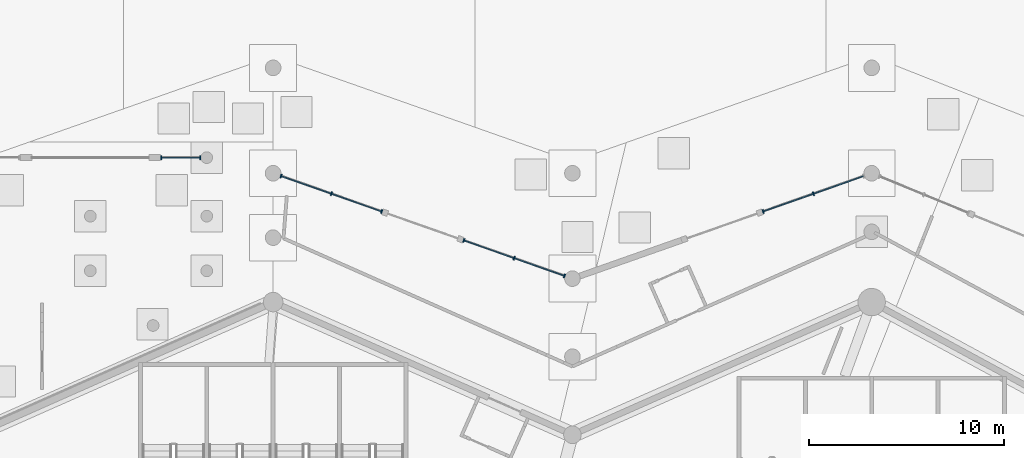
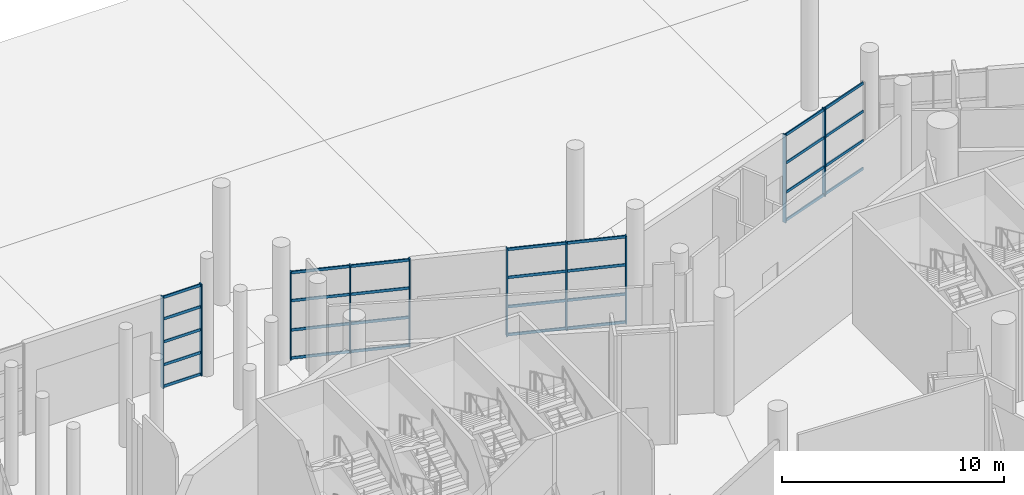
# One storey, part 63 of 255: 39 members, 4 elements without a shape of their own.
"""IFC4 building model written with IfcOpenShell, lengths in metres."""

from ifc_helpers import new_model, si_unit, direction, frame, origin, origin_2d, place, context, subcontext, project, spatial, rectangle, extrude, material, layer, layer_set, material_profile, profile_set, type_object, element, aggregate, save


model = new_model("IFC4")

# Units and contexts
model_context = context("Model", 3, precision=1e-05, world=origin(), true_north=direction((0.0, 1.0)))
body_context = subcontext(model_context, "Body", "Model", "MODEL_VIEW")
ifc_project = project(units=[si_unit("LENGTHUNIT", "METRE"), si_unit("AREAUNIT", "SQUARE_METRE"), si_unit("VOLUMEUNIT", "CUBIC_METRE"), si_unit("PLANEANGLEUNIT", "RADIAN"), si_unit("MASSUNIT", "GRAM", prefix="KILO")], contexts=[model_context])

# Site, building, storey
site_placement = place(None, origin())
site = spatial("IfcSite", under=ifc_project, at=site_placement, CompositionType="ELEMENT")
building_placement = place(site_placement, origin())
building = spatial("IfcBuilding", under=site, at=building_placement, Name="Meseta Stadium", CompositionType="ELEMENT")
storey_placement = place(building_placement, origin())
storey = spatial("IfcBuildingStorey", under=building, at=storey_placement, Name="L00", CompositionType="ELEMENT", Elevation=0.0)

# Curtain wall, members
ifc_material_1 = material(Name="Aluminium", Category="aluminium")
ifc_layer_1 = layer(ifc_material_1, 0.199951171875)
ifc_layer_set_1 = layer_set([ifc_layer_1], Name="Ring shopfront curtain wall")
curtain_wall_type_1 = type_object("IfcCurtainWallType", Name="Ring shopfront curtain wall", PredefinedType="NOTDEFINED", material=ifc_layer_set_1)
curtain_wall_1_placement = place(storey_placement, origin())
curtain_wall_1 = element("IfcCurtainWall", 1, at=curtain_wall_1_placement, inside=storey, type_object=curtain_wall_type_1, Name="Shopfront glazing F16a", PredefinedType="NOTDEFINED")
ifc_material_2 = material(Name="Aluminium", Category="aluminium")
ifc_material_profile_1 = material_profile(ifc_material_2, rectangle(XDim=0.199951171875, YDim=0.06005859375, at=origin_2d()), Name="CW 200x60")
ifc_profile_set_1 = profile_set([ifc_material_profile_1], Name="Aluminium")
member_type_1 = type_object("IfcMemberType", Name="Ring CW mullion 60x200", PredefinedType="MULLION", material=ifc_profile_set_1)
member_1_placement = place(storey_placement, frame((35.348876953125, 110.948974609375, 0.0), z_axis=(0.0, 0.0, 1.0), x_axis=(0.332170000181, -0.94321953488, 0.0)))
member_1 = element("IfcMember", 2, at=member_1_placement, type_object=member_type_1, Name="CWR1 mullion 2", PredefinedType="MULLION", context=body_context, shape_type="SweptSolid", body=[
    extrude(rectangle(XDim=0.199951171875, YDim=0.06005859375, at=origin_2d()), origin(), (0.0, 0.0, 1.0), 4.85009765625),
])
member_2_placement = place(storey_placement, frame((32.77001953125, 110.040771484375, 0.0), z_axis=(0.0, 0.0, 1.0), x_axis=(0.332170000181, -0.94321953488, 0.0)))
member_2 = element("IfcMember", 3, at=member_2_placement, type_object=member_type_1, Name="CWR1 mullion 3", PredefinedType="MULLION", context=body_context, shape_type="SweptSolid", body=[
    extrude(rectangle(XDim=0.199951171875, YDim=0.06005859375, at=origin_2d()), origin(), (0.0, 0.0, 1.0), 4.85009765625),
])

curtain_wall_2_placement = place(storey_placement, origin())
curtain_wall_2 = element("IfcCurtainWall", 4, at=curtain_wall_2_placement, inside=storey, type_object=curtain_wall_type_1, Name="Shopfront glazing F17a", PredefinedType="NOTDEFINED")
member_3_placement = place(storey_placement, frame((22.594482421875, 106.742919921875, 0.0), z_axis=(0.0, 0.0, 1.0), x_axis=(-0.332170000181, -0.94321953488, 0.0)))
member_3 = element("IfcMember", 5, at=member_3_placement, type_object=member_type_1, Name="CWR1 mullion 1", PredefinedType="MULLION", context=body_context, shape_type="SweptSolid", body=[
    extrude(rectangle(XDim=0.199951171875, YDim=0.06005859375, at=origin_2d()), origin(), (0.0, 0.0, 1.0), 4.85009765625),
])
member_4_placement = place(storey_placement, frame((20.015625, 107.651123046875, 0.0), z_axis=(0.0, 0.0, 1.0), x_axis=(-0.332170000181, -0.94321953488, 0.0)))
member_4 = element("IfcMember", 6, at=member_4_placement, type_object=member_type_1, Name="CWR1 mullion 2", PredefinedType="MULLION", context=body_context, shape_type="SweptSolid", body=[
    extrude(rectangle(XDim=0.199951171875, YDim=0.06005859375, at=origin_2d()), origin(), (0.0, 0.0, 1.0), 4.85009765625),
])
member_5_placement = place(storey_placement, frame((17.436767578125, 108.559326171875, 0.0), z_axis=(0.0, 0.0, 1.0), x_axis=(-0.332170000181, -0.94321953488, 0.0)))
member_5 = element("IfcMember", 7, at=member_5_placement, type_object=member_type_1, Name="CWR1 mullion 3", PredefinedType="MULLION", context=body_context, shape_type="SweptSolid", body=[
    extrude(rectangle(XDim=0.199951171875, YDim=0.06005859375, at=origin_2d()), origin(), (0.0, 0.0, 1.0), 4.85009765625),
])

curtain_wall_3_placement = place(storey_placement, origin())
curtain_wall_3 = element("IfcCurtainWall", 8, at=curtain_wall_3_placement, inside=storey, type_object=curtain_wall_type_1, Name="Shopfront glazing F17b", PredefinedType="NOTDEFINED")
member_6_placement = place(storey_placement, frame((13.22998046875, 110.040771484375, 0.0), z_axis=(0.0, 0.0, 1.0), x_axis=(-0.332170000181, -0.94321953488, 0.0)))
member_6 = element("IfcMember", 9, at=member_6_placement, type_object=member_type_1, Name="CWR1 mullion 1", PredefinedType="MULLION", context=body_context, shape_type="SweptSolid", body=[
    extrude(rectangle(XDim=0.199951171875, YDim=0.06005859375, at=origin_2d()), origin(), (0.0, 0.0, 1.0), 4.85009765625),
])
member_7_placement = place(storey_placement, frame((10.651123046875, 110.948974609375, 0.0), z_axis=(0.0, 0.0, 1.0), x_axis=(-0.332170000181, -0.94321953488, 0.0)))
member_7 = element("IfcMember", 10, at=member_7_placement, type_object=member_type_1, Name="CWR1 mullion 2", PredefinedType="MULLION", context=body_context, shape_type="SweptSolid", body=[
    extrude(rectangle(XDim=0.199951171875, YDim=0.06005859375, at=origin_2d()), origin(), (0.0, 0.0, 1.0), 4.85009765625),
])
member_8_placement = place(storey_placement, frame((8.072265625, 111.857177734375, 0.0), z_axis=(0.0, 0.0, 1.0), x_axis=(-0.332170000181, -0.94321953488, 0.0)))
member_8 = element("IfcMember", 11, at=member_8_placement, type_object=member_type_1, Name="CWR1 mullion 3", PredefinedType="MULLION", context=body_context, shape_type="SweptSolid", body=[
    extrude(rectangle(XDim=0.199951171875, YDim=0.06005859375, at=origin_2d()), origin(), (0.0, 0.0, 1.0), 4.85009765625),
])

ifc_material_3 = material(Name="Aluminium", Category="aluminium")
ifc_layer_2 = layer(ifc_material_3, 0.199951171875)
ifc_layer_set_2 = layer_set([ifc_layer_2], Name="Gate hall curtain wall")
curtain_wall_type_2 = type_object("IfcCurtainWallType", Name="Gate hall curtain wall", PredefinedType="NOTDEFINED", material=ifc_layer_set_2)
curtain_wall_4_placement = place(storey_placement, origin())
curtain_wall_4 = element("IfcCurtainWall", 12, at=curtain_wall_4_placement, inside=storey, type_object=curtain_wall_type_2, Name="Gate 3 glazing", PredefinedType="NOTDEFINED")
member_9_placement = place(storey_placement, frame((3.936767578125, 112.800048828125, 0.0), z_axis=(0.0, 0.0, 1.0), x_axis=(0.0, -1.0, 0.0)))
member_9 = element("IfcMember", 13, at=member_9_placement, type_object=member_type_1, Name="CWG1 mullion 1", PredefinedType="MULLION", context=body_context, shape_type="SweptSolid", body=[
    extrude(rectangle(XDim=0.199951171875, YDim=0.06005859375, at=origin_2d()), origin(), (0.0, 0.0, 1.0), 5.050048828125),
])
member_10_placement = place(storey_placement, frame((1.929931640625, 112.800048828125, 0.0), z_axis=(0.0, 0.0, 1.0), x_axis=(0.0, -1.0, 0.0)))
member_10 = element("IfcMember", 14, at=member_10_placement, type_object=member_type_1, Name="CWG1 mullion 2", PredefinedType="MULLION", context=body_context, shape_type="SweptSolid", body=[
    extrude(rectangle(XDim=0.199951171875, YDim=0.06005859375, at=origin_2d()), origin(), (0.0, 0.0, 1.0), 5.050048828125),
])

# Member
ifc_material_4 = material(Name="Aluminium", Category="aluminium")
ifc_material_profile_2 = material_profile(ifc_material_4, rectangle(XDim=0.06005859375, YDim=0.14990234375, at=origin_2d()), Name="CW 60x150")
ifc_profile_set_2 = profile_set([ifc_material_profile_2], Name="Aluminium")
member_type_2 = type_object("IfcMemberType", Name="Ring CW transom 60x150", PredefinedType="USERDEFINED", material=ifc_profile_set_2)
member_11_placement = place(storey_placement, frame((37.8994140625, 111.84716796875, 0.074951171875), z_axis=(-0.943226073385, -0.332151433063, 0.0), x_axis=(0.332151433063, -0.943226073385, 0.0)))
member_11 = element("IfcMember", 15, at=member_11_placement, type_object=member_type_2, Name="CWR1 transom 1.1", ObjectType="TRANSOM", PredefinedType="USERDEFINED", context=body_context, shape_type="SweptSolid", body=[
    extrude(rectangle(XDim=0.06005859375, YDim=0.14990234375, at=origin_2d()), origin(), (0.0, 0.0, 1.0), 2.674072265625),
])

member_12_placement = place(storey_placement, frame((37.8994140625, 111.84716796875, 1.61669921875), z_axis=(-0.943226073385, -0.332151433063, 0.0), x_axis=(0.332151433063, -0.943226073385, 0.0)))
member_12 = element("IfcMember", 16, at=member_12_placement, type_object=member_type_2, Name="CWR1 transom 1.2", ObjectType="TRANSOM", PredefinedType="USERDEFINED", context=body_context, shape_type="SweptSolid", body=[
    extrude(rectangle(XDim=0.06005859375, YDim=0.14990234375, at=origin_2d()), origin(), (0.0, 0.0, 1.0), 2.674072265625),
])

member_13_placement = place(storey_placement, frame((37.8994140625, 111.84716796875, 3.2333984375), z_axis=(-0.943226073385, -0.332151433063, 0.0), x_axis=(0.332151433063, -0.943226073385, 0.0)))
member_13 = element("IfcMember", 17, at=member_13_placement, type_object=member_type_2, Name="CWR1 transom 1.3", ObjectType="TRANSOM", PredefinedType="USERDEFINED", context=body_context, shape_type="SweptSolid", body=[
    extrude(rectangle(XDim=0.06005859375, YDim=0.14990234375, at=origin_2d()), origin(), (0.0, 0.0, 1.0), 2.674072265625),
])

member_14_placement = place(storey_placement, frame((37.8994140625, 111.84716796875, 4.77490234375), z_axis=(-0.943226073385, -0.332151433063, 0.0), x_axis=(0.332151433063, -0.943226073385, 0.0)))
member_14 = element("IfcMember", 18, at=member_14_placement, type_object=member_type_2, Name="CWR1 transom 1.4", ObjectType="TRANSOM", PredefinedType="USERDEFINED", context=body_context, shape_type="SweptSolid", body=[
    extrude(rectangle(XDim=0.06005859375, YDim=0.14990234375, at=origin_2d()), origin(), (0.0, 0.0, 1.0), 2.674072265625),
])

member_15_placement = place(storey_placement, frame((35.320556640625, 110.93896484375, 0.074951171875), z_axis=(-0.943226073385, -0.332151433063, 0.0), x_axis=(0.332151433063, -0.943226073385, 0.0)))
member_15 = element("IfcMember", 19, at=member_15_placement, type_object=member_type_2, Name="CWR1 transom 2.1", ObjectType="TRANSOM", PredefinedType="USERDEFINED", context=body_context, shape_type="SweptSolid", body=[
    extrude(rectangle(XDim=0.06005859375, YDim=0.14990234375, at=origin_2d()), origin(), (0.0, 0.0, 1.0), 2.674072265625),
])

member_16_placement = place(storey_placement, frame((35.320556640625, 110.93896484375, 1.61669921875), z_axis=(-0.943226073385, -0.332151433063, 0.0), x_axis=(0.332151433063, -0.943226073385, 0.0)))
member_16 = element("IfcMember", 20, at=member_16_placement, type_object=member_type_2, Name="CWR1 transom 2.2", ObjectType="TRANSOM", PredefinedType="USERDEFINED", context=body_context, shape_type="SweptSolid", body=[
    extrude(rectangle(XDim=0.06005859375, YDim=0.14990234375, at=origin_2d()), origin(), (0.0, 0.0, 1.0), 2.674072265625),
])

member_17_placement = place(storey_placement, frame((35.320556640625, 110.93896484375, 3.2333984375), z_axis=(-0.943226073385, -0.332151433063, 0.0), x_axis=(0.332151433063, -0.943226073385, 0.0)))
member_17 = element("IfcMember", 21, at=member_17_placement, type_object=member_type_2, Name="CWR1 transom 2.3", ObjectType="TRANSOM", PredefinedType="USERDEFINED", context=body_context, shape_type="SweptSolid", body=[
    extrude(rectangle(XDim=0.06005859375, YDim=0.14990234375, at=origin_2d()), origin(), (0.0, 0.0, 1.0), 2.674072265625),
])

member_18_placement = place(storey_placement, frame((35.320556640625, 110.93896484375, 4.77490234375), z_axis=(-0.943226073385, -0.332151433063, 0.0), x_axis=(0.332151433063, -0.943226073385, 0.0)))
member_18 = element("IfcMember", 22, at=member_18_placement, type_object=member_type_2, Name="CWR1 transom 2.4", ObjectType="TRANSOM", PredefinedType="USERDEFINED", context=body_context, shape_type="SweptSolid", body=[
    extrude(rectangle(XDim=0.06005859375, YDim=0.14990234375, at=origin_2d()), origin(), (0.0, 0.0, 1.0), 2.674072265625),
])

aggregate(curtain_wall_1, [member_1, member_2, member_11, member_12, member_13, member_14, member_15, member_16, member_17, member_18])

member_19_placement = place(storey_placement, frame((22.566162109375, 106.7529296875, 0.074951171875), z_axis=(-0.943226073385, 0.332151433063, 0.0), x_axis=(-0.332151433063, -0.943226073385, 0.0)))
member_19 = element("IfcMember", 23, at=member_19_placement, type_object=member_type_2, Name="CWR1 transom 1.1", ObjectType="TRANSOM", PredefinedType="USERDEFINED", context=body_context, shape_type="SweptSolid", body=[
    extrude(rectangle(XDim=0.06005859375, YDim=0.14990234375, at=origin_2d()), origin(), (0.0, 0.0, 1.0), 2.674072265625),
])

member_20_placement = place(storey_placement, frame((22.566162109375, 106.7529296875, 1.61669921875), z_axis=(-0.943226073385, 0.332151433063, 0.0), x_axis=(-0.332151433063, -0.943226073385, 0.0)))
member_20 = element("IfcMember", 24, at=member_20_placement, type_object=member_type_2, Name="CWR1 transom 1.2", ObjectType="TRANSOM", PredefinedType="USERDEFINED", context=body_context, shape_type="SweptSolid", body=[
    extrude(rectangle(XDim=0.06005859375, YDim=0.14990234375, at=origin_2d()), origin(), (0.0, 0.0, 1.0), 2.674072265625),
])

member_21_placement = place(storey_placement, frame((22.566162109375, 106.7529296875, 3.2333984375), z_axis=(-0.943226073385, 0.332151433063, 0.0), x_axis=(-0.332151433063, -0.943226073385, 0.0)))
member_21 = element("IfcMember", 25, at=member_21_placement, type_object=member_type_2, Name="CWR1 transom 1.3", ObjectType="TRANSOM", PredefinedType="USERDEFINED", context=body_context, shape_type="SweptSolid", body=[
    extrude(rectangle(XDim=0.06005859375, YDim=0.14990234375, at=origin_2d()), origin(), (0.0, 0.0, 1.0), 2.674072265625),
])

member_22_placement = place(storey_placement, frame((22.566162109375, 106.7529296875, 4.77490234375), z_axis=(-0.943226073385, 0.332151433063, 0.0), x_axis=(-0.332151433063, -0.943226073385, 0.0)))
member_22 = element("IfcMember", 26, at=member_22_placement, type_object=member_type_2, Name="CWR1 transom 1.4", ObjectType="TRANSOM", PredefinedType="USERDEFINED", context=body_context, shape_type="SweptSolid", body=[
    extrude(rectangle(XDim=0.06005859375, YDim=0.14990234375, at=origin_2d()), origin(), (0.0, 0.0, 1.0), 2.674072265625),
])

member_23_placement = place(storey_placement, frame((19.9873046875, 107.6611328125, 0.074951171875), z_axis=(-0.943226073385, 0.332151433063, 0.0), x_axis=(-0.332151433063, -0.943226073385, 0.0)))
member_23 = element("IfcMember", 27, at=member_23_placement, type_object=member_type_2, Name="CWR1 transom 2.1", ObjectType="TRANSOM", PredefinedType="USERDEFINED", context=body_context, shape_type="SweptSolid", body=[
    extrude(rectangle(XDim=0.06005859375, YDim=0.14990234375, at=origin_2d()), origin(), (0.0, 0.0, 1.0), 2.674072265625),
])

member_24_placement = place(storey_placement, frame((19.9873046875, 107.6611328125, 1.61669921875), z_axis=(-0.943226073385, 0.332151433063, 0.0), x_axis=(-0.332151433063, -0.943226073385, 0.0)))
member_24 = element("IfcMember", 28, at=member_24_placement, type_object=member_type_2, Name="CWR1 transom 2.2", ObjectType="TRANSOM", PredefinedType="USERDEFINED", context=body_context, shape_type="SweptSolid", body=[
    extrude(rectangle(XDim=0.06005859375, YDim=0.14990234375, at=origin_2d()), origin(), (0.0, 0.0, 1.0), 2.674072265625),
])

member_25_placement = place(storey_placement, frame((19.9873046875, 107.6611328125, 3.2333984375), z_axis=(-0.943226073385, 0.332151433063, 0.0), x_axis=(-0.332151433063, -0.943226073385, 0.0)))
member_25 = element("IfcMember", 29, at=member_25_placement, type_object=member_type_2, Name="CWR1 transom 2.3", ObjectType="TRANSOM", PredefinedType="USERDEFINED", context=body_context, shape_type="SweptSolid", body=[
    extrude(rectangle(XDim=0.06005859375, YDim=0.14990234375, at=origin_2d()), origin(), (0.0, 0.0, 1.0), 2.674072265625),
])

member_26_placement = place(storey_placement, frame((19.9873046875, 107.6611328125, 4.77490234375), z_axis=(-0.943226073385, 0.332151433063, 0.0), x_axis=(-0.332151433063, -0.943226073385, 0.0)))
member_26 = element("IfcMember", 30, at=member_26_placement, type_object=member_type_2, Name="CWR1 transom 2.4", ObjectType="TRANSOM", PredefinedType="USERDEFINED", context=body_context, shape_type="SweptSolid", body=[
    extrude(rectangle(XDim=0.06005859375, YDim=0.14990234375, at=origin_2d()), origin(), (0.0, 0.0, 1.0), 2.674072265625),
])

aggregate(curtain_wall_2, [member_3, member_4, member_5, member_19, member_20, member_21, member_22, member_23, member_24, member_25, member_26])

member_27_placement = place(storey_placement, frame((13.20166015625, 110.05078125, 0.074951171875), z_axis=(-0.943226073385, 0.332151433063, 0.0), x_axis=(-0.332151433063, -0.943226073385, 0.0)))
member_27 = element("IfcMember", 31, at=member_27_placement, type_object=member_type_2, Name="CWR1 transom 1.1", ObjectType="TRANSOM", PredefinedType="USERDEFINED", context=body_context, shape_type="SweptSolid", body=[
    extrude(rectangle(XDim=0.06005859375, YDim=0.14990234375, at=origin_2d()), origin(), (0.0, 0.0, 1.0), 2.674072265625),
])

member_28_placement = place(storey_placement, frame((13.20166015625, 110.05078125, 1.61669921875), z_axis=(-0.943226073385, 0.332151433063, 0.0), x_axis=(-0.332151433063, -0.943226073385, 0.0)))
member_28 = element("IfcMember", 32, at=member_28_placement, type_object=member_type_2, Name="CWR1 transom 1.2", ObjectType="TRANSOM", PredefinedType="USERDEFINED", context=body_context, shape_type="SweptSolid", body=[
    extrude(rectangle(XDim=0.06005859375, YDim=0.14990234375, at=origin_2d()), origin(), (0.0, 0.0, 1.0), 2.674072265625),
])

member_29_placement = place(storey_placement, frame((13.20166015625, 110.05078125, 3.2333984375), z_axis=(-0.943226073385, 0.332151433063, 0.0), x_axis=(-0.332151433063, -0.943226073385, 0.0)))
member_29 = element("IfcMember", 33, at=member_29_placement, type_object=member_type_2, Name="CWR1 transom 1.3", ObjectType="TRANSOM", PredefinedType="USERDEFINED", context=body_context, shape_type="SweptSolid", body=[
    extrude(rectangle(XDim=0.06005859375, YDim=0.14990234375, at=origin_2d()), origin(), (0.0, 0.0, 1.0), 2.674072265625),
])

member_30_placement = place(storey_placement, frame((13.20166015625, 110.05078125, 4.77490234375), z_axis=(-0.943226073385, 0.332151433063, 0.0), x_axis=(-0.332151433063, -0.943226073385, 0.0)))
member_30 = element("IfcMember", 34, at=member_30_placement, type_object=member_type_2, Name="CWR1 transom 1.4", ObjectType="TRANSOM", PredefinedType="USERDEFINED", context=body_context, shape_type="SweptSolid", body=[
    extrude(rectangle(XDim=0.06005859375, YDim=0.14990234375, at=origin_2d()), origin(), (0.0, 0.0, 1.0), 2.674072265625),
])

member_31_placement = place(storey_placement, frame((10.622802734375, 110.958984375, 0.074951171875), z_axis=(-0.943226073385, 0.332151433063, 0.0), x_axis=(-0.332151433063, -0.943226073385, 0.0)))
member_31 = element("IfcMember", 35, at=member_31_placement, type_object=member_type_2, Name="CWR1 transom 2.1", ObjectType="TRANSOM", PredefinedType="USERDEFINED", context=body_context, shape_type="SweptSolid", body=[
    extrude(rectangle(XDim=0.06005859375, YDim=0.14990234375, at=origin_2d()), origin(), (0.0, 0.0, 1.0), 2.674072265625),
])

member_32_placement = place(storey_placement, frame((10.622802734375, 110.958984375, 1.61669921875), z_axis=(-0.943226073385, 0.332151433063, 0.0), x_axis=(-0.332151433063, -0.943226073385, 0.0)))
member_32 = element("IfcMember", 36, at=member_32_placement, type_object=member_type_2, Name="CWR1 transom 2.2", ObjectType="TRANSOM", PredefinedType="USERDEFINED", context=body_context, shape_type="SweptSolid", body=[
    extrude(rectangle(XDim=0.06005859375, YDim=0.14990234375, at=origin_2d()), origin(), (0.0, 0.0, 1.0), 2.674072265625),
])

member_33_placement = place(storey_placement, frame((10.622802734375, 110.958984375, 3.2333984375), z_axis=(-0.943226073385, 0.332151433063, 0.0), x_axis=(-0.332151433063, -0.943226073385, 0.0)))
member_33 = element("IfcMember", 37, at=member_33_placement, type_object=member_type_2, Name="CWR1 transom 2.3", ObjectType="TRANSOM", PredefinedType="USERDEFINED", context=body_context, shape_type="SweptSolid", body=[
    extrude(rectangle(XDim=0.06005859375, YDim=0.14990234375, at=origin_2d()), origin(), (0.0, 0.0, 1.0), 2.674072265625),
])

member_34_placement = place(storey_placement, frame((10.622802734375, 110.958984375, 4.77490234375), z_axis=(-0.943226073385, 0.332151433063, 0.0), x_axis=(-0.332151433063, -0.943226073385, 0.0)))
member_34 = element("IfcMember", 38, at=member_34_placement, type_object=member_type_2, Name="CWR1 transom 2.4", ObjectType="TRANSOM", PredefinedType="USERDEFINED", context=body_context, shape_type="SweptSolid", body=[
    extrude(rectangle(XDim=0.06005859375, YDim=0.14990234375, at=origin_2d()), origin(), (0.0, 0.0, 1.0), 2.674072265625),
])

aggregate(curtain_wall_3, [member_6, member_7, member_8, member_27, member_28, member_29, member_30, member_31, member_32, member_33, member_34])

member_35_placement = place(storey_placement, frame((3.90673828125, 112.800048828125, 0.074951171875), z_axis=(-1.0, 0.0, 0.0), x_axis=(0.0, -1.0, 0.0)))
member_35 = element("IfcMember", 39, at=member_35_placement, type_object=member_type_2, Name="CWG1 transom 1.1", ObjectType="TRANSOM", PredefinedType="USERDEFINED", context=body_context, shape_type="SweptSolid", body=[
    extrude(rectangle(XDim=0.06005859375, YDim=0.14990234375, at=origin_2d()), origin(), (0.0, 0.0, 1.0), 1.94677734375),
])

member_36_placement = place(storey_placement, frame((3.90673828125, 112.800048828125, 1.262451171875), z_axis=(-1.0, 0.0, 0.0), x_axis=(0.0, -1.0, 0.0)))
member_36 = element("IfcMember", 40, at=member_36_placement, type_object=member_type_2, Name="CWG1 transom 1.2", ObjectType="TRANSOM", PredefinedType="USERDEFINED", context=body_context, shape_type="SweptSolid", body=[
    extrude(rectangle(XDim=0.06005859375, YDim=0.14990234375, at=origin_2d()), origin(), (0.0, 0.0, 1.0), 1.94677734375),
])

member_37_placement = place(storey_placement, frame((3.90673828125, 112.800048828125, 2.52490234375), z_axis=(-1.0, 0.0, 0.0), x_axis=(0.0, -1.0, 0.0)))
member_37 = element("IfcMember", 41, at=member_37_placement, type_object=member_type_2, Name="CWG1 transom 1.3", ObjectType="TRANSOM", PredefinedType="USERDEFINED", context=body_context, shape_type="SweptSolid", body=[
    extrude(rectangle(XDim=0.06005859375, YDim=0.14990234375, at=origin_2d()), origin(), (0.0, 0.0, 1.0), 1.94677734375),
])

member_38_placement = place(storey_placement, frame((3.90673828125, 112.800048828125, 3.78759765625), z_axis=(-1.0, 0.0, 0.0), x_axis=(0.0, -1.0, 0.0)))
member_38 = element("IfcMember", 42, at=member_38_placement, type_object=member_type_2, Name="CWG1 transom 1.4", ObjectType="TRANSOM", PredefinedType="USERDEFINED", context=body_context, shape_type="SweptSolid", body=[
    extrude(rectangle(XDim=0.06005859375, YDim=0.14990234375, at=origin_2d()), origin(), (0.0, 0.0, 1.0), 1.94677734375),
])

member_39_placement = place(storey_placement, frame((3.90673828125, 112.800048828125, 4.97509765625), z_axis=(-1.0, 0.0, 0.0), x_axis=(0.0, -1.0, 0.0)))
member_39 = element("IfcMember", 43, at=member_39_placement, type_object=member_type_2, Name="CWG1 transom 1.5", ObjectType="TRANSOM", PredefinedType="USERDEFINED", context=body_context, shape_type="SweptSolid", body=[
    extrude(rectangle(XDim=0.06005859375, YDim=0.14990234375, at=origin_2d()), origin(), (0.0, 0.0, 1.0), 1.94677734375),
])

aggregate(curtain_wall_4, [member_9, member_10, member_35, member_36, member_37, member_38, member_39])

save(model, "model.ifc")
